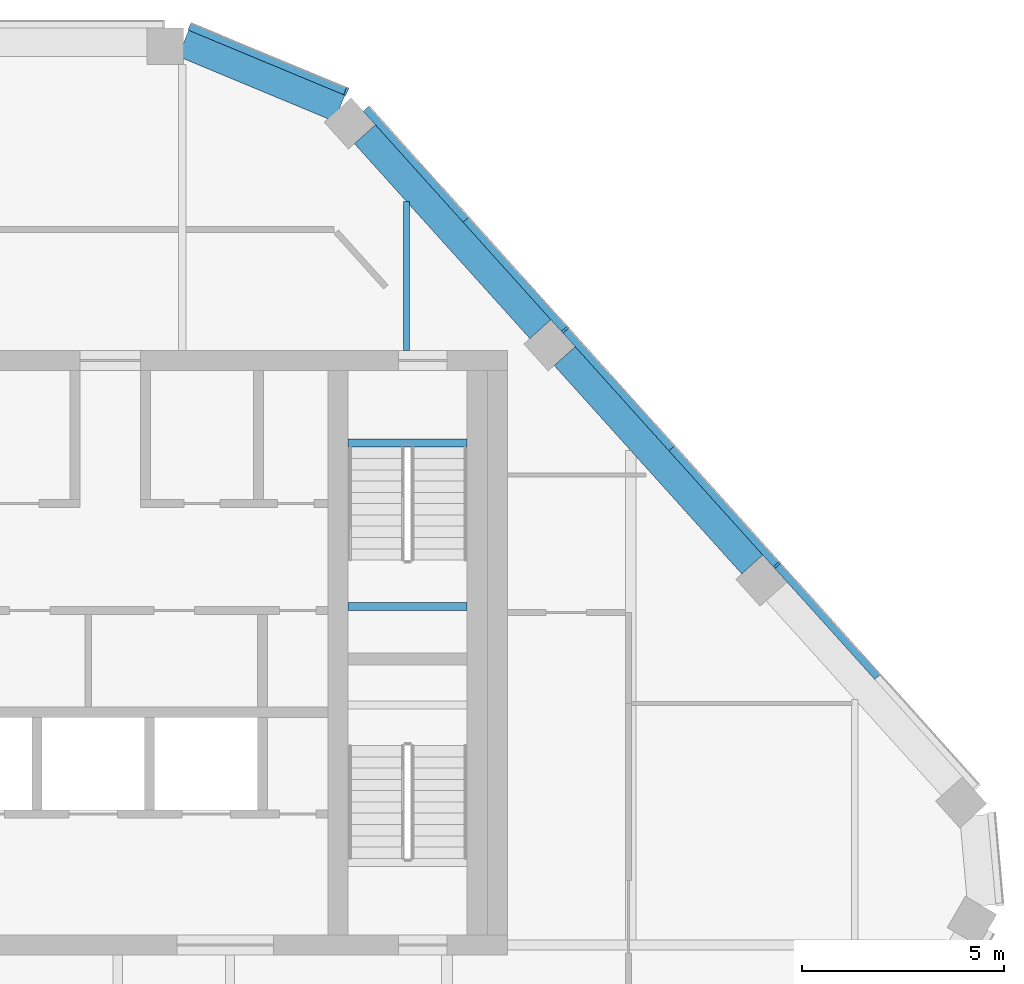
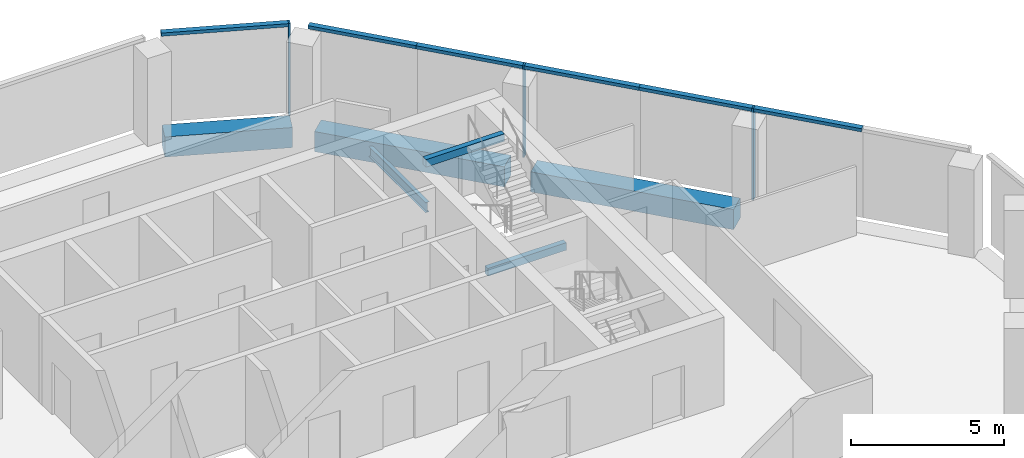
# One storey, part 6 of 15: 9 members, 6 beams, 2 elements without a shape of their own.
"""IFC4 building model written with IfcOpenShell, lengths in metres."""

import ifcopenshell
import ifcopenshell.guid

model = None  # the IFC model being written
_history = None  # IfcOwnerHistory: only IFC2X3 demands one
_inside = {}  # id of a spatial element -> (the spatial element, [elements in it])
_under = {}  # id of a project, library or spatial element -> (it, [spatial elements below it])
_declared = {}  # id of a project -> (the project, [libraries it declares])
_typed = {}  # id of a type object -> (the type object, [elements of that type])
_made_of = {}  # id of a material, layer set ... -> (it, [elements and type objects made of it])


def new_model(schema):
    """Start an empty IFC model of exactly this schema.

    Asked for "IFC4X3", IfcOpenShell would pick the latest addendum, in which some entities
    have other attributes; the version numbers below select the first issue.
    IFC2X3 requires an IfcOwnerHistory on every rooted entity: one is made here for all.
    """
    global model, _history
    if schema == "IFC4X3":
        model = ifcopenshell.file(schema_version=(4, 3, 0, 0))
    else:
        model = ifcopenshell.file(schema=schema)
    _inside.clear()
    _under.clear()
    _declared.clear()
    _typed.clear()
    _made_of.clear()
    _history = None
    if model.schema == "IFC2X3":
        org = make("IfcOrganization", Name="unknown")
        user = make(
            "IfcPersonAndOrganization",
            ThePerson=make("IfcPerson", FamilyName="unknown"),
            TheOrganization=org,
        )
        app = make(
            "IfcApplication",
            ApplicationDeveloper=org,
            Version="unknown",
            ApplicationFullName="unknown",
            ApplicationIdentifier="unknown",
        )
        _history = make(
            "IfcOwnerHistory",
            OwningUser=user,
            OwningApplication=app,
            ChangeAction="ADDED",
            CreationDate=0,
        )
    return model


def make(cls, **values):
    """One entity of the class cls with the attributes given. An attribute that is None is left unset."""
    return model.create_entity(
        cls, **{name: value for name, value in values.items() if value is not None}
    )


def rooted(cls, **values):
    """An entity with a GlobalId (a new one), such as an element, a storey or a relation."""
    return make(cls, GlobalId=ifcopenshell.guid.new(), OwnerHistory=_history, **values)


def si_unit(unit_type, name, prefix=None):
    """IfcSIUnit, for example si_unit("LENGTHUNIT", "METRE", prefix="MILLI")."""
    return make("IfcSIUnit", UnitType=unit_type, Prefix=prefix, Name=name)


def assignment(units):
    """IfcUnitAssignment: the units of a project."""
    return None if units is None else make("IfcUnitAssignment", Units=units)


def point(xyz):
    """IfcCartesianPoint."""
    return None if xyz is None else make("IfcCartesianPoint", Coordinates=xyz)


def direction(xyz):
    """IfcDirection."""
    return None if xyz is None else make("IfcDirection", DirectionRatios=xyz)


def frame(location, z_axis=None, x_axis=None):
    """IfcAxis2Placement3D, a coordinate frame: its origin and axes. An axis left out is left unset."""
    return make(
        "IfcAxis2Placement3D",
        Location=point(location),
        Axis=direction(z_axis),
        RefDirection=direction(x_axis),
    )


def frame_2d(location, x_axis=None):
    """IfcAxis2Placement2D, a coordinate frame in the plane: its origin and x axis."""
    return make(
        "IfcAxis2Placement2D", Location=point(location), RefDirection=direction(x_axis)
    )


def origin():
    """The frame at (0, 0, 0) with its axes left unset."""
    return frame((0.0, 0.0, 0.0))


def origin_2d():
    """The frame at (0, 0) in the plane with its x axis left unset."""
    return frame_2d((0.0, 0.0))


def place(relative_to, where):
    """IfcLocalPlacement: puts the frame where relative to a parent placement (None: the world)."""
    return make(
        "IfcLocalPlacement", PlacementRelTo=relative_to, RelativePlacement=where
    )


def context(
    kind, dimensions, precision=None, world=None, true_north=None, identifier=None
):
    """IfcGeometricRepresentationContext, for example the 3D "Model" context."""
    return make(
        "IfcGeometricRepresentationContext",
        ContextIdentifier=identifier,
        ContextType=kind,
        CoordinateSpaceDimension=dimensions,
        Precision=precision,
        WorldCoordinateSystem=world,
        TrueNorth=true_north,
    )


def subcontext(parent, identifier, kind, view, scale=None):
    """IfcGeometricRepresentationSubContext, for example "Body" below "Model"."""
    return make(
        "IfcGeometricRepresentationSubContext",
        ContextIdentifier=identifier,
        ContextType=kind,
        ParentContext=parent,
        TargetScale=scale,
        TargetView=view,
    )


def project(units=None, contexts=None):
    """IfcProject with its units and contexts."""
    return rooted(
        "IfcProject",
        Name="project",
        RepresentationContexts=contexts,
        UnitsInContext=assignment(units),
    )


def spatial(cls, under=None, at=None, **own):
    """A site, building, storey or space (cls), placed at a placement, below another one or the project."""
    s = rooted(cls, ObjectPlacement=at, **own)
    if under is not None:
        _under.setdefault(under.id(), (under, []))[1].append(s)
    return s


def profile(cls, at=None, kind="AREA", **sizes):
    """A parametric profile (cls). Its sizes go by their IFC names, for example OverallWidth=200.0."""
    return make(cls, ProfileType=kind, Position=at, **sizes)


def rectangle(**sizes):
    """IfcRectangleProfileDef."""
    return profile("IfcRectangleProfileDef", **sizes)


def i_section(**sizes):
    """IfcIShapeProfileDef."""
    return profile("IfcIShapeProfileDef", **sizes)


def extrude(swept, where, along, depth):
    """IfcExtrudedAreaSolid: the profile swept, set in the frame where, extruded along a direction by depth."""
    return make(
        "IfcExtrudedAreaSolid",
        SweptArea=swept,
        Position=where,
        ExtrudedDirection=direction(along),
        Depth=depth,
    )


def shape(context_of_items, identifier, shape_type, items):
    """IfcShapeRepresentation: the items that make up one representation, for example the "Body"."""
    return make(
        "IfcShapeRepresentation",
        ContextOfItems=context_of_items,
        RepresentationIdentifier=identifier,
        RepresentationType=shape_type,
        Items=items,
    )


def material(Name=None, Category=None):
    """IfcMaterial."""
    return make("IfcMaterial", Name=Name, Category=Category)


def layer(
    of_material, thickness, ventilated=None, Name=None, Category=None, Priority=None
):
    """IfcMaterialLayer: one layer of a wall or slab, of a material (None: an air gap)."""
    return make(
        "IfcMaterialLayer",
        Material=of_material,
        LayerThickness=thickness,
        IsVentilated=ventilated,
        Name=Name,
        Category=Category,
        Priority=Priority,
    )


def layer_set(layers, Name=None):
    """IfcMaterialLayerSet."""
    return make("IfcMaterialLayerSet", MaterialLayers=layers, LayerSetName=Name)


def material_profile(
    of_material, cross_section, Name=None, Category=None, Priority=None
):
    """IfcMaterialProfile: a cross section and its material."""
    return make(
        "IfcMaterialProfile",
        Name=Name,
        Material=of_material,
        Profile=cross_section,
        Priority=Priority,
        Category=Category,
    )


def profile_set(profiles, Name=None, composite=None):
    """IfcMaterialProfileSet."""
    return make(
        "IfcMaterialProfileSet",
        Name=Name,
        MaterialProfiles=profiles,
        CompositeProfile=composite,
    )


def made_of(thing, what):
    """Note that an element or type object is made of a material, layer set ...; save() writes the relation."""
    if what is not None:
        _made_of.setdefault(what.id(), (what, []))[1].append(thing)
    return thing


def type_object(cls, material=None, **own):
    """A type object (cls), such as IfcWallType, which elements share."""
    return made_of(rooted(cls, **own), material)


def element(
    cls,
    number,
    at=None,
    inside=None,
    cuts=None,
    type_object=None,
    material=None,
    context=None,
    identifier="Body",
    shape_type=None,
    held_by="IfcProductDefinitionShape",
    body=None,
    shapes=None,
    **own,
):
    """One element of the class cls, such as IfcWall. Its Tag is "e" and its number.

    at: its placement. inside: the storey or other place that contains it. cuts: it is an
    opening in that element (IfcRelVoidsElement). A single representation is given by context,
    identifier, shape_type and body (its items); several are given by shapes. held_by: the class
    of the entity that holds the representations. save() writes the other relations.
    """
    e = rooted(cls, Tag="e%d" % number, ObjectPlacement=at, **own)
    if body is not None:
        shapes = [shape(context, identifier, shape_type, body)]
    if shapes is not None:
        e.Representation = make(held_by, Representations=shapes)
    if inside is not None:
        _inside.setdefault(inside.id(), (inside, []))[1].append(e)
    if cuts is not None:
        rooted(
            "IfcRelVoidsElement", RelatingBuildingElement=cuts, RelatedOpeningElement=e
        )
    if type_object is not None:
        _typed.setdefault(type_object.id(), (type_object, []))[1].append(e)
    return made_of(e, material)


def aggregate(whole, parts):
    """IfcRelAggregates: a whole, such as a stair, and the parts it consists of."""
    return rooted("IfcRelAggregates", RelatingObject=whole, RelatedObjects=parts)


def save(model, path):
    """Write the relations noted so far, then the file.

    IfcRelAggregates (storeys below a building ...), IfcRelContainedInSpatialStructure (elements
    in a storey), IfcRelDefinesByType, IfcRelAssociatesMaterial and IfcRelDeclares: one each for
    every whole, place, type object, material and project.
    """
    for whole, parts in _under.values():
        aggregate(whole, parts)
    for where, things in _inside.values():
        rooted(
            "IfcRelContainedInSpatialStructure",
            RelatedElements=things,
            RelatingStructure=where,
        )
    for kind, things in _typed.values():
        rooted("IfcRelDefinesByType", RelatedObjects=things, RelatingType=kind)
    for what, things in _made_of.values():
        rooted("IfcRelAssociatesMaterial", RelatedObjects=things, RelatingMaterial=what)
    for by, libraries in _declared.values():
        rooted("IfcRelDeclares", RelatingContext=by, RelatedDefinitions=libraries)
    model.write(path)


model = new_model("IFC4")

# Units and contexts
model_context = context("Model", 3, precision=1e-05, world=origin(), true_north=direction((0.0, 1.0)))
body_context = subcontext(model_context, "Body", "Model", "MODEL_VIEW")
ifc_project = project(units=[si_unit("LENGTHUNIT", "METRE"), si_unit("AREAUNIT", "SQUARE_METRE"), si_unit("VOLUMEUNIT", "CUBIC_METRE"), si_unit("PLANEANGLEUNIT", "RADIAN"), si_unit("MASSUNIT", "GRAM", prefix="KILO")], contexts=[model_context])

# Site, building, storey
site_placement = place(None, origin())
site = spatial("IfcSite", under=ifc_project, at=site_placement, CompositionType="ELEMENT")
building_placement = place(site_placement, origin())
building = spatial("IfcBuilding", under=site, at=building_placement, Name="Isthmus Gate Tower", CompositionType="ELEMENT")
storey_placement = place(building_placement, frame((0.0, 0.0, 293.800048828125)))
storey = spatial("IfcBuildingStorey", under=building, at=storey_placement, Name="L75", CompositionType="ELEMENT", Elevation=293.800048828125)

# Curtain wall, members
ifc_material_1 = material(Name="Aluminium, pale champagne anodised", Category="aluminium")
ifc_layer = layer(ifc_material_1, 0.199951171875)
ifc_layer_set = layer_set([ifc_layer], Name="CW-1 UNITISED CURTAIN WALL 200 DEEP")
curtain_wall_type = type_object("IfcCurtainWallType", Name="CW-1 UNITISED CURTAIN WALL 200 DEEP", PredefinedType="NOTDEFINED", material=ifc_layer_set)
curtain_wall_1_placement = place(storey_placement, origin())
curtain_wall_1 = element("IfcCurtainWall", 1, at=curtain_wall_1_placement, inside=storey, type_object=curtain_wall_type, Name="CW-1 NE L75", PredefinedType="NOTDEFINED")
ifc_material_2 = material(Name="Aluminium, pale champagne anodised", Category="aluminium")
ifc_material_profile_1 = material_profile(ifc_material_2, rectangle(XDim=0.06005859375, YDim=0.199951171875, at=origin_2d()), Name="60x200")
ifc_profile_set_1 = profile_set([ifc_material_profile_1], Name="Aluminium, pale champagne anodised")
member_type_1 = type_object("IfcMemberType", Name="CW-1 MULLION 60 X 200", PredefinedType="MULLION", material=ifc_profile_set_1)
member_1_placement = place(storey_placement, frame((21.69140625, 9.680419921875, 0.0), z_axis=(0.0, 0.0, 1.0), x_axis=(-0.669130606359, 0.743144825477, 0.0)))
member_1 = element("IfcMember", 2, at=member_1_placement, type_object=member_type_1, Name="CW-1 mullion", PredefinedType="MULLION", context=body_context, shape_type="SweptSolid", body=[
    extrude(rectangle(XDim=0.06005859375, YDim=0.199951171875, at=origin_2d()), origin(), (0.0, 0.0, 1.0), 3.64990234375),
])
member_2_placement = place(storey_placement, frame((16.43408203125, 15.519287109375, 0.0), z_axis=(0.0, 0.0, 1.0), x_axis=(-0.669130606359, 0.743144825477, 0.0)))
member_2 = element("IfcMember", 3, at=member_2_placement, type_object=member_type_1, Name="CW-1 mullion", PredefinedType="MULLION", context=body_context, shape_type="SweptSolid", body=[
    extrude(rectangle(XDim=0.06005859375, YDim=0.199951171875, at=origin_2d()), origin(), (0.0, 0.0, 1.0), 3.64990234375),
])

# Curtain wall, member
curtain_wall_2_placement = place(storey_placement, origin())
curtain_wall_2 = element("IfcCurtainWall", 4, at=curtain_wall_2_placement, inside=storey, type_object=curtain_wall_type, Name="CW-1 NE-N L75", PredefinedType="NOTDEFINED")
member_3_placement = place(storey_placement, frame((11.001708984375, 21.427490234375, 0.0), z_axis=(0.0, 0.0, 1.0), x_axis=(-0.923353128387, 0.383951820282, 0.0)))
member_3 = element("IfcMember", 5, at=member_3_placement, type_object=member_type_1, Name="CW-1 mullion", PredefinedType="MULLION", context=body_context, shape_type="SweptSolid", body=[
    extrude(rectangle(XDim=0.06005859375, YDim=0.199951171875, at=origin_2d()), origin(), (0.0, 0.0, 1.0), 3.64990234375),
])

# Member
ifc_material_3 = material(Name="Aluminium, pale champagne anodised", Category="aluminium")
ifc_material_profile_2 = material_profile(ifc_material_3, rectangle(XDim=0.199951171875, YDim=0.1298828125, at=origin_2d()), Name="200x130")
ifc_profile_set_2 = profile_set([ifc_material_profile_2], Name="Aluminium, pale champagne anodised")
member_type_2 = type_object("IfcMemberType", Name="CW-1 TRANSOM 200 X 130", PredefinedType="USERDEFINED", material=ifc_profile_set_2)
member_4_placement = place(storey_placement, frame((24.189453125, 6.906005859375, 3.5849609375), z_axis=(-0.669121330099, 0.743153177754, 0.0), x_axis=(-0.743153177754, -0.669121330099, 0.0)))
member_4 = element("IfcMember", 6, at=member_4_placement, type_object=member_type_2, Name="CW-1 transom", ObjectType="TRANSOM", PredefinedType="USERDEFINED", context=body_context, shape_type="SweptSolid", body=[
    extrude(rectangle(XDim=0.199951171875, YDim=0.1298828125, at=origin_2d()), origin(), (0.0, 0.0, 1.0), 3.703369140625),
])

member_5_placement = place(storey_placement, frame((21.67138671875, 9.702880859375, 3.5849609375), z_axis=(-0.669156480406, 0.743121527565, 0.0), x_axis=(-0.743121527565, -0.669156480406, 0.0)))
member_5 = element("IfcMember", 7, at=member_5_placement, type_object=member_type_2, Name="CW-1 transom", ObjectType="TRANSOM", PredefinedType="USERDEFINED", context=body_context, shape_type="SweptSolid", body=[
    extrude(rectangle(XDim=0.199951171875, YDim=0.1298828125, at=origin_2d()), origin(), (0.0, 0.0, 1.0), 3.868408203125),
])

member_6_placement = place(storey_placement, frame((19.082763671875, 12.57763671875, 3.5849609375), z_axis=(-0.669095199697, 0.743176704252, 0.0), x_axis=(-0.743176704252, -0.669095199697, 0.0)))
member_6 = element("IfcMember", 8, at=member_6_placement, type_object=member_type_2, Name="CW-1 transom", ObjectType="TRANSOM", PredefinedType="USERDEFINED", context=body_context, shape_type="SweptSolid", body=[
    extrude(rectangle(XDim=0.199951171875, YDim=0.1298828125, at=origin_2d()), origin(), (0.0, 0.0, 1.0), 3.92822265625),
])

member_7_placement = place(storey_placement, frame((16.4140625, 15.54150390625, 3.5849609375), z_axis=(-0.669116497993, 0.743157528464, 0.0), x_axis=(-0.743157528464, -0.669116497993, 0.0)))
member_7 = element("IfcMember", 9, at=member_7_placement, type_object=member_type_2, Name="CW-1 transom", ObjectType="TRANSOM", PredefinedType="USERDEFINED", context=body_context, shape_type="SweptSolid", body=[
    extrude(rectangle(XDim=0.199951171875, YDim=0.1298828125, at=origin_2d()), origin(), (0.0, 0.0, 1.0), 3.6435546875),
])

member_8_placement = place(storey_placement, frame((13.97607421875, 18.249267578125, 3.5849609375), z_axis=(-0.669154112043, 0.743123660192, 0.0), x_axis=(-0.743123660192, -0.669154112043, 0.0)))
member_8 = element("IfcMember", 10, at=member_8_placement, type_object=member_type_2, Name="CW-1 transom", ObjectType="TRANSOM", PredefinedType="USERDEFINED", context=body_context, shape_type="SweptSolid", body=[
    extrude(rectangle(XDim=0.199951171875, YDim=0.1298828125, at=origin_2d()), origin(), (0.0, 0.0, 1.0), 3.703125),
])

aggregate(curtain_wall_1, [member_4, member_1, member_5, member_6, member_2, member_7, member_8])

member_9_placement = place(storey_placement, frame((10.97412109375, 21.43896484375, 3.5849609375), z_axis=(-0.923358236369, 0.383939536033, 0.0), x_axis=(-0.383939536033, -0.923358236369, 0.0)))
member_9 = element("IfcMember", 11, at=member_9_placement, type_object=member_type_2, Name="CW-1 transom", ObjectType="TRANSOM", PredefinedType="USERDEFINED", context=body_context, shape_type="SweptSolid", body=[
    extrude(rectangle(XDim=0.199951171875, YDim=0.1298828125, at=origin_2d()), origin(), (0.0, 0.0, 1.0), 4.181640625),
])

aggregate(curtain_wall_2, [member_3, member_9])

# Beams
ifc_material_4 = material(Name="Concrete f'c 50 MPa", Category="concrete")
ifc_material_profile_3 = material_profile(ifc_material_4, rectangle(XDim=0.699951171875, YDim=0.800048828125, at=origin_2d()), Name="RC 700X800")
ifc_profile_set_3 = profile_set([ifc_material_profile_3], Name="Concrete f'c 50 MPa")
beam_type_1 = type_object("IfcBeamType", Name="RC SPANDREL 700 X 800", PredefinedType="SPANDREL", material=ifc_profile_set_3)
beam_1_placement = place(storey_placement, frame((6.95947265625, 22.620849609375, -0.400146484375), z_axis=(0.923360646135, -0.383933740597, 0.0), x_axis=(0.383933740597, 0.923360646135, 0.0)))
element("IfcBeam", 12, at=beam_1_placement, inside=storey, type_object=beam_type_1, Name="str-spandrel-L75-00", PredefinedType="SPANDREL", context=body_context, shape_type="SweptSolid", body=[
    extrude(rectangle(XDim=0.699951171875, YDim=0.800048828125, at=origin_2d()), origin(), (0.0, 0.0, 1.0), 4.19677734375),
])
beam_2_placement = place(storey_placement, frame((11.46484375, 20.36572265625, -0.400146484375), z_axis=(0.669122265754, -0.743152335307, 0.0), x_axis=(0.743152335307, 0.669122265754, 0.0)))
element("IfcBeam", 13, at=beam_2_placement, inside=storey, type_object=beam_type_1, Name="str-spandrel-L75-01", PredefinedType="SPANDREL", context=body_context, shape_type="SweptSolid", body=[
    extrude(rectangle(XDim=0.699951171875, YDim=0.800048828125, at=origin_2d()), origin(), (0.0, 0.0, 1.0), 6.506591796875),
])
beam_3_placement = place(storey_placement, frame((16.4208984375, 14.861572265625, -0.400146484375), z_axis=(0.669131458307, -0.743144058379, 0.0), x_axis=(0.743144058379, 0.669131458307, 0.0)))
element("IfcBeam", 14, at=beam_3_placement, inside=storey, type_object=beam_type_1, Name="str-spandrel-L75-02", PredefinedType="SPANDREL", context=body_context, shape_type="SweptSolid", body=[
    extrude(rectangle(XDim=0.699951171875, YDim=0.800048828125, at=origin_2d()), origin(), (0.0, 0.0, 1.0), 6.956787109375),
])
ifc_material_5 = material(Name="Concrete f'c 40 MPa", Category="concrete")
ifc_material_profile_4 = material_profile(ifc_material_5, rectangle(XDim=0.199951171875, YDim=0.300048828125, at=origin_2d()), Name="STAIR LANDING BEAM RC 200 X 300")
ifc_profile_set_4 = profile_set([ifc_material_profile_4], Name="Concrete f'c 40 MPa")
beam_type_2 = type_object("IfcBeamType", Name="STAIR LANDING BEAM RC 200 X 300", PredefinedType="BEAM", material=ifc_profile_set_4)
for number, where, z_axis, x_axis, name in (
    (15, (11.050048828125, 8.64990234375, 1.474853515625), (1.0, 0.0, 0.0), (0.0, 1.0, 0.0), "L75 ST2 landing beam 1"),
    (16, (11.050048828125, 12.7001953125, 3.349853515625), (1.0, 0.0, 0.0), (0.0, 1.0, 0.0), "L75 ST2 floor-edge seat beam"),
):
    element("IfcBeam", number, at=place(storey_placement, frame(where, z_axis=z_axis, x_axis=x_axis)), inside=storey, type_object=beam_type_2, Name=name, PredefinedType="BEAM", context=body_context, shape_type="SweptSolid", body=[
        extrude(rectangle(XDim=0.199951171875, YDim=0.300048828125, at=origin_2d()), origin(), (0.0, 0.0, 1.0), 2.949951171875),
    ])
ifc_material_6 = material(Name="Structural steel ASTM A992 Gr 50", Category="steel")
ifc_material_profile_5 = material_profile(ifc_material_6, i_section(OverallWidth=0.1396484375, OverallDepth=0.4033203125, WebThickness=0.00634765625, FlangeThickness=0.010986328125, at=origin_2d()), Name="W16X31")
ifc_profile_set_5 = profile_set([ifc_material_profile_5], Name="Structural steel ASTM A992 Gr 50")
beam_type_3 = type_object("IfcBeamType", Name="STEEL FLOOR BEAM W16X31", PredefinedType="JOIST", material=ifc_profile_set_5)
beam_4_placement = place(storey_placement, frame((12.49560546875, 15.0, -0.3515625), z_axis=(0.0, 1.0, 0.0), x_axis=(-1.0, 0.0, 0.0)))
element("IfcBeam", 17, at=beam_4_placement, inside=storey, type_object=beam_type_3, Name="str-beam-L75-07-05", PredefinedType="JOIST", context=body_context, shape_type="SweptSolid", body=[
    extrude(i_section(OverallWidth=0.1396484375, OverallDepth=0.4033203125, WebThickness=0.00634765625, FlangeThickness=0.010986328125, at=origin_2d()), origin(), (0.0, 0.0, 1.0), 3.69775390625),
])

save(model, "model.ifc")
